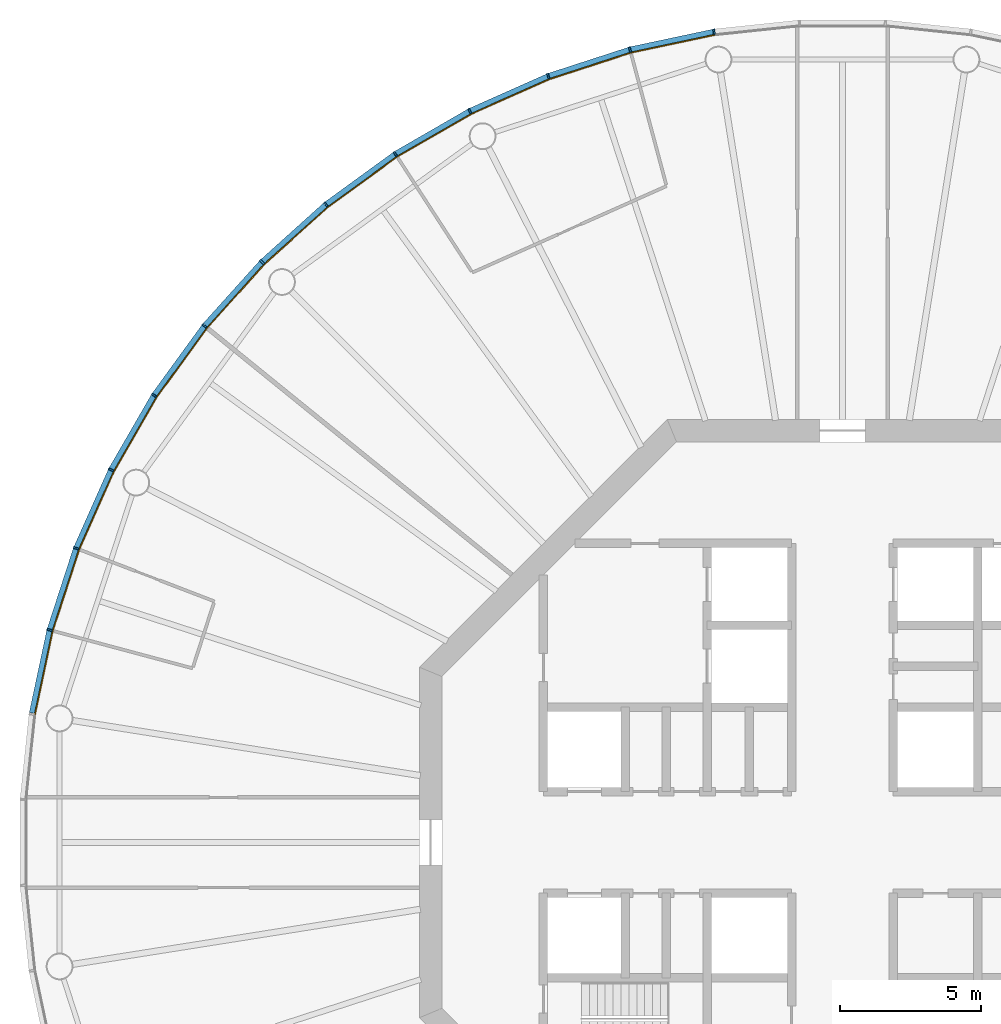
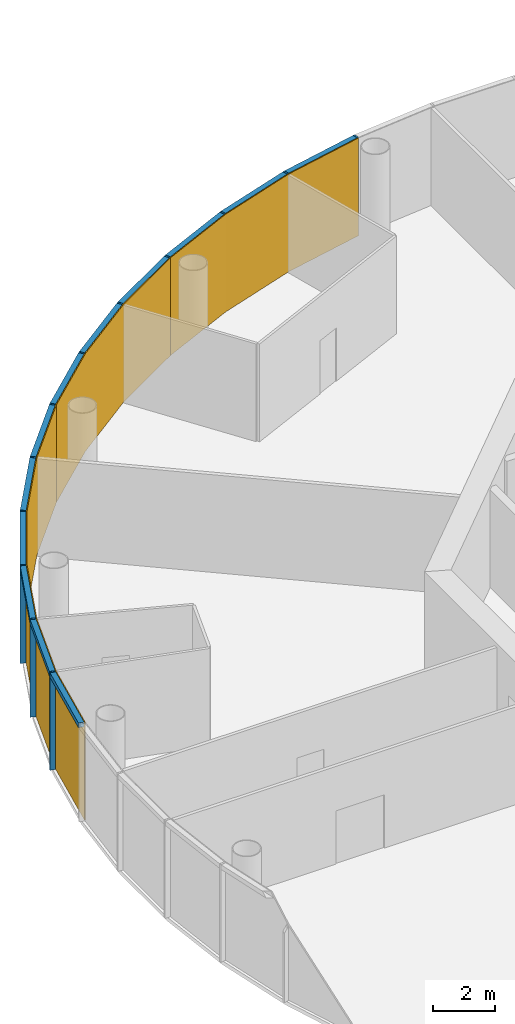
# One storey, part 10 of 13: 24 members, 4 curtain walls.
"""IFC4 building model written with IfcOpenShell, lengths in metres."""

from ifc_helpers import new_model, si_unit, direction, frame, origin, origin_2d, place, context, subcontext, project, spatial, polyline, rectangle, outline, extrude, material, layer, layer_set, material_profile, profile_set, type_object, element, aggregate, save


model = new_model("IFC4")

# Units and contexts
model_context = context("Model", 3, precision=1e-05, world=origin(), true_north=direction((0.0, 1.0)))
body_context = subcontext(model_context, "Body", "Model", "MODEL_VIEW")
ifc_project = project(units=[si_unit("LENGTHUNIT", "METRE"), si_unit("AREAUNIT", "SQUARE_METRE"), si_unit("VOLUMEUNIT", "CUBIC_METRE"), si_unit("PLANEANGLEUNIT", "RADIAN"), si_unit("MASSUNIT", "GRAM", prefix="KILO")], contexts=[model_context])

# Member
ifc_material_1 = material(Name="Anodised aluminium", Category="aluminium")
ifc_material_profile_1 = material_profile(ifc_material_1, rectangle(XDim=0.06494140625, YDim=0.195068359375, at=origin_2d()), Name="Mullion 65 x 195 mm anodised aluminium")
ifc_profile_set_1 = profile_set([ifc_material_profile_1], Name="Anodised aluminium")
member_type_1 = type_object("IfcMemberType", Name="Mullion 65 x 195 mm anodised aluminium", PredefinedType="MULLION", material=ifc_profile_set_1)
site_placement = place(None, origin())
building_placement = place(site_placement, origin())
storey_placement = place(building_placement, frame((0.0, 0.0, 278.0)))
member_1_placement = place(storey_placement, frame((85.4482421875, 108.7392578125, 0.0), z_axis=(0.0, 0.0, 1.0), x_axis=(-0.987688340595, -0.15643446504, 0.0)))
member_1 = element("IfcMember", 1, at=member_1_placement, type_object=member_type_1, Name="MULLION L63-15", PredefinedType="MULLION", context=body_context, shape_type="SweptSolid", body=[
    extrude(rectangle(XDim=0.06494140625, YDim=0.195068359375, at=origin_2d()), origin(), (0.0, 0.0, 1.0), 3.85009765625),
])

member_2_placement = place(storey_placement, frame((82.468994140625, 108.10595703125, 0.0), z_axis=(0.0, 0.0, 1.0), x_axis=(-0.965925826289, -0.258819045103, 0.0)))
member_2 = element("IfcMember", 2, at=member_2_placement, type_object=member_type_1, Name="MULLION L63-16", PredefinedType="MULLION", context=body_context, shape_type="SweptSolid", body=[
    extrude(rectangle(XDim=0.06494140625, YDim=0.195068359375, at=origin_2d()), origin(), (0.0, 0.0, 1.0), 3.85009765625),
])

member_3_placement = place(storey_placement, frame((79.572509765625, 107.164794921875, 0.0), z_axis=(0.0, 0.0, 1.0), x_axis=(-0.933580426497, -0.358367949545, 0.0)))
member_3 = element("IfcMember", 3, at=member_3_placement, type_object=member_type_1, Name="MULLION L63-17", PredefinedType="MULLION", context=body_context, shape_type="SweptSolid", body=[
    extrude(rectangle(XDim=0.06494140625, YDim=0.195068359375, at=origin_2d()), origin(), (0.0, 0.0, 1.0), 3.85009765625),
])

member_4_placement = place(storey_placement, frame((76.7900390625, 105.926025390625, 0.0), z_axis=(0.0, 0.0, 1.0), x_axis=(-0.891006524188, -0.45399049974, 0.0)))
member_4 = element("IfcMember", 4, at=member_4_placement, type_object=member_type_1, Name="MULLION L63-18", PredefinedType="MULLION", context=body_context, shape_type="SweptSolid", body=[
    extrude(rectangle(XDim=0.06494140625, YDim=0.195068359375, at=origin_2d()), origin(), (0.0, 0.0, 1.0), 3.85009765625),
])

member_5_placement = place(storey_placement, frame((74.15234375, 104.4033203125, 0.0), z_axis=(0.0, 0.0, 1.0), x_axis=(-0.838670567945, -0.544639035015, 0.0)))
member_5 = element("IfcMember", 5, at=member_5_placement, type_object=member_type_1, Name="MULLION L63-19", PredefinedType="MULLION", context=body_context, shape_type="SweptSolid", body=[
    extrude(rectangle(XDim=0.06494140625, YDim=0.195068359375, at=origin_2d()), origin(), (0.0, 0.0, 1.0), 3.85009765625),
])

member_6_placement = place(storey_placement, frame((71.688232421875, 102.613037109375, 0.0), z_axis=(0.0, 0.0, 1.0), x_axis=(-0.777145961457, -0.62932039105, 0.0)))
member_6 = element("IfcMember", 6, at=member_6_placement, type_object=member_type_1, Name="MULLION L63-20", PredefinedType="MULLION", context=body_context, shape_type="SweptSolid", body=[
    extrude(rectangle(XDim=0.06494140625, YDim=0.195068359375, at=origin_2d()), origin(), (0.0, 0.0, 1.0), 3.85009765625),
])

member_7_placement = place(storey_placement, frame((69.425048828125, 100.574951171875, 0.0), z_axis=(0.0, 0.0, 1.0), x_axis=(-0.707106781187, -0.707106781187, 0.0)))
member_7 = element("IfcMember", 7, at=member_7_placement, type_object=member_type_1, Name="MULLION L63-21", PredefinedType="MULLION", context=body_context, shape_type="SweptSolid", body=[
    extrude(rectangle(XDim=0.06494140625, YDim=0.195068359375, at=origin_2d()), origin(), (0.0, 0.0, 1.0), 3.85009765625),
])

member_8_placement = place(storey_placement, frame((67.386962890625, 98.311767578125, 0.0), z_axis=(0.0, 0.0, 1.0), x_axis=(-0.62932039105, -0.777145961457, 0.0)))
member_8 = element("IfcMember", 8, at=member_8_placement, type_object=member_type_1, Name="MULLION L63-22", PredefinedType="MULLION", context=body_context, shape_type="SweptSolid", body=[
    extrude(rectangle(XDim=0.06494140625, YDim=0.195068359375, at=origin_2d()), origin(), (0.0, 0.0, 1.0), 3.85009765625),
])

member_9_placement = place(storey_placement, frame((65.5966796875, 95.84765625, 0.0), z_axis=(0.0, 0.0, 1.0), x_axis=(-0.544639035015, -0.838670567945, 0.0)))
member_9 = element("IfcMember", 9, at=member_9_placement, type_object=member_type_1, Name="MULLION L63-23", PredefinedType="MULLION", context=body_context, shape_type="SweptSolid", body=[
    extrude(rectangle(XDim=0.06494140625, YDim=0.195068359375, at=origin_2d()), origin(), (0.0, 0.0, 1.0), 3.85009765625),
])

member_10_placement = place(storey_placement, frame((64.073974609375, 93.2099609375, 0.0), z_axis=(0.0, 0.0, 1.0), x_axis=(-0.45399049974, -0.891006524188, 0.0)))
member_10 = element("IfcMember", 10, at=member_10_placement, type_object=member_type_1, Name="MULLION L63-24", PredefinedType="MULLION", context=body_context, shape_type="SweptSolid", body=[
    extrude(rectangle(XDim=0.06494140625, YDim=0.195068359375, at=origin_2d()), origin(), (0.0, 0.0, 1.0), 3.85009765625),
])

member_11_placement = place(storey_placement, frame((62.835205078125, 90.427490234375, 0.0), z_axis=(0.0, 0.0, 1.0), x_axis=(-0.358367949545, -0.933580426497, 0.0)))
member_11 = element("IfcMember", 11, at=member_11_placement, type_object=member_type_1, Name="MULLION L63-25", PredefinedType="MULLION", context=body_context, shape_type="SweptSolid", body=[
    extrude(rectangle(XDim=0.06494140625, YDim=0.195068359375, at=origin_2d()), origin(), (0.0, 0.0, 1.0), 3.85009765625),
])

member_12_placement = place(storey_placement, frame((61.89404296875, 87.531005859375, 0.0), z_axis=(0.0, 0.0, 1.0), x_axis=(-0.258819045103, -0.965925826289, 0.0)))
member_12 = element("IfcMember", 12, at=member_12_placement, type_object=member_type_1, Name="MULLION L63-26", PredefinedType="MULLION", context=body_context, shape_type="SweptSolid", body=[
    extrude(rectangle(XDim=0.06494140625, YDim=0.195068359375, at=origin_2d()), origin(), (0.0, 0.0, 1.0), 3.85009765625),
])

ifc_material_2 = material(Name="Anodised aluminium", Category="aluminium")
ifc_material_profile_2 = material_profile(ifc_material_2, rectangle(XDim=0.195068359375, YDim=0.179931640625, at=origin_2d()), Name="Transom 180 x 195 mm anodised aluminium")
ifc_profile_set_2 = profile_set([ifc_material_profile_2], Name="Anodised aluminium")
member_type_2 = type_object("IfcMemberType", Name="Transom 180 x 195 mm anodised aluminium", PredefinedType="USERDEFINED", material=ifc_profile_set_2)
member_13_placement = place(storey_placement, frame((85.411376953125, 108.731689453125, 3.760009765625), z_axis=(-0.978141510112, -0.207940342877, 0.0), x_axis=(0.207940342877, -0.978141510112, 0.0)))
member_13 = element("IfcMember", 13, at=member_13_placement, type_object=member_type_2, Name="TRANSOM L63-15", ObjectType="TRANSOM", PredefinedType="USERDEFINED", context=body_context, shape_type="SweptSolid", body=[
    extrude(rectangle(XDim=0.195068359375, YDim=0.179931640625, at=origin_2d()), origin(), (0.0, 0.0, 1.0), 2.970458984375),
])

member_14_placement = place(storey_placement, frame((82.43310546875, 108.094482421875, 3.760009765625), z_axis=(-0.951047960094, -0.309043326415, 0.0), x_axis=(0.309043326415, -0.951047960094, 0.0)))
member_14 = element("IfcMember", 14, at=member_14_placement, type_object=member_type_2, Name="TRANSOM L63-16", ObjectType="TRANSOM", PredefinedType="USERDEFINED", context=body_context, shape_type="SweptSolid", body=[
    extrude(rectangle(XDim=0.195068359375, YDim=0.179931640625, at=origin_2d()), origin(), (0.0, 0.0, 1.0), 2.970458984375),
])

member_15_placement = place(storey_placement, frame((79.5380859375, 107.149658203125, 3.760009765625), z_axis=(-0.913550406593, -0.406725527369, 0.0), x_axis=(0.406725527369, -0.913550406593, 0.0)))
member_15 = element("IfcMember", 15, at=member_15_placement, type_object=member_type_2, Name="TRANSOM L63-17", ObjectType="TRANSOM", PredefinedType="USERDEFINED", context=body_context, shape_type="SweptSolid", body=[
    extrude(rectangle(XDim=0.195068359375, YDim=0.179931640625, at=origin_2d()), origin(), (0.0, 0.0, 1.0), 2.970703125),
])

member_16_placement = place(storey_placement, frame((76.75732421875, 105.907470703125, 3.760009765625), z_axis=(-0.866009025146, -0.500028367561, 0.0), x_axis=(0.500028367561, -0.866009025146, 0.0)))
member_16 = element("IfcMember", 16, at=member_16_placement, type_object=member_type_2, Name="TRANSOM L63-18", ObjectType="TRANSOM", PredefinedType="USERDEFINED", context=body_context, shape_type="SweptSolid", body=[
    extrude(rectangle(XDim=0.195068359375, YDim=0.179931640625, at=origin_2d()), origin(), (0.0, 0.0, 1.0), 2.970458984375),
])

member_17_placement = place(storey_placement, frame((74.121826171875, 104.381103515625, 3.760009765625), z_axis=(-0.809030990733, -0.587765987476, 0.0), x_axis=(0.587765987476, -0.809030990733, 0.0)))
member_17 = element("IfcMember", 17, at=member_17_placement, type_object=member_type_2, Name="TRANSOM L63-19", ObjectType="TRANSOM", PredefinedType="USERDEFINED", context=body_context, shape_type="SweptSolid", body=[
    extrude(rectangle(XDim=0.195068359375, YDim=0.179931640625, at=origin_2d()), origin(), (0.0, 0.0, 1.0), 2.97021484375),
])

member_18_placement = place(storey_placement, frame((71.660400390625, 102.587890625, 3.760009765625), z_axis=(-0.743163354343, -0.669110027395, 0.0), x_axis=(0.669110027395, -0.743163354343, 0.0)))
member_18 = element("IfcMember", 18, at=member_18_placement, type_object=member_type_2, Name="TRANSOM L63-20", ObjectType="TRANSOM", PredefinedType="USERDEFINED", context=body_context, shape_type="SweptSolid", body=[
    extrude(rectangle(XDim=0.195068359375, YDim=0.179931640625, at=origin_2d()), origin(), (0.0, 0.0, 1.0), 2.970458984375),
])

member_19_placement = place(storey_placement, frame((69.399658203125, 100.547119140625, 3.760009765625), z_axis=(-0.669110027395, -0.743163354343, 0.0), x_axis=(0.743163354343, -0.669110027395, 0.0)))
member_19 = element("IfcMember", 19, at=member_19_placement, type_object=member_type_2, Name="TRANSOM L63-21", ObjectType="TRANSOM", PredefinedType="USERDEFINED", context=body_context, shape_type="SweptSolid", body=[
    extrude(rectangle(XDim=0.195068359375, YDim=0.179931640625, at=origin_2d()), origin(), (0.0, 0.0, 1.0), 2.970458984375),
])

member_20_placement = place(storey_placement, frame((67.36474609375, 98.28125, 3.760009765625), z_axis=(-0.587765987476, -0.809030990733, 0.0), x_axis=(0.809030990733, -0.587765987476, 0.0)))
member_20 = element("IfcMember", 20, at=member_20_placement, type_object=member_type_2, Name="TRANSOM L63-22", ObjectType="TRANSOM", PredefinedType="USERDEFINED", context=body_context, shape_type="SweptSolid", body=[
    extrude(rectangle(XDim=0.195068359375, YDim=0.179931640625, at=origin_2d()), origin(), (0.0, 0.0, 1.0), 2.97021484375),
])

member_21_placement = place(storey_placement, frame((65.577880859375, 95.815185546875, 3.760009765625), z_axis=(-0.500028367561, -0.866009025146, 0.0), x_axis=(0.866009025146, -0.500028367561, 0.0)))
member_21 = element("IfcMember", 21, at=member_21_placement, type_object=member_type_2, Name="TRANSOM L63-23", ObjectType="TRANSOM", PredefinedType="USERDEFINED", context=body_context, shape_type="SweptSolid", body=[
    extrude(rectangle(XDim=0.195068359375, YDim=0.179931640625, at=origin_2d()), origin(), (0.0, 0.0, 1.0), 2.970458984375),
])

member_22_placement = place(storey_placement, frame((64.05859375, 93.17578125, 3.760009765625), z_axis=(-0.406725527369, -0.913550406593, 0.0), x_axis=(0.913550406593, -0.406725527369, 0.0)))
member_22 = element("IfcMember", 22, at=member_22_placement, type_object=member_type_2, Name="TRANSOM L63-24", ObjectType="TRANSOM", PredefinedType="USERDEFINED", context=body_context, shape_type="SweptSolid", body=[
    extrude(rectangle(XDim=0.195068359375, YDim=0.179931640625, at=origin_2d()), origin(), (0.0, 0.0, 1.0), 2.970703125),
])

member_23_placement = place(storey_placement, frame((62.823486328125, 90.391845703125, 3.760009765625), z_axis=(-0.309043326415, -0.951047960094, 0.0), x_axis=(0.951047960094, -0.309043326415, 0.0)))
member_23 = element("IfcMember", 23, at=member_23_placement, type_object=member_type_2, Name="TRANSOM L63-25", ObjectType="TRANSOM", PredefinedType="USERDEFINED", context=body_context, shape_type="SweptSolid", body=[
    extrude(rectangle(XDim=0.195068359375, YDim=0.179931640625, at=origin_2d()), origin(), (0.0, 0.0, 1.0), 2.970458984375),
])

member_24_placement = place(storey_placement, frame((61.885986328125, 87.494140625, 3.760009765625), z_axis=(-0.207940342877, -0.978141510112, 0.0), x_axis=(0.978141510112, -0.207940342877, 0.0)))
member_24 = element("IfcMember", 24, at=member_24_placement, type_object=member_type_2, Name="TRANSOM L63-26", ObjectType="TRANSOM", PredefinedType="USERDEFINED", context=body_context, shape_type="SweptSolid", body=[
    extrude(rectangle(XDim=0.195068359375, YDim=0.179931640625, at=origin_2d()), origin(), (0.0, 0.0, 1.0), 2.970458984375),
])

# Site, building, storey
site = spatial("IfcSite", under=ifc_project, at=site_placement, CompositionType="ELEMENT")
building = spatial("IfcBuilding", under=site, at=building_placement, Name="Entoto Ring Tower", CompositionType="ELEMENT")
storey = spatial("IfcBuildingStorey", under=building, at=storey_placement, Name="L63", CompositionType="ELEMENT", Elevation=278.0)

# Curtain wall
ifc_material_3 = material(Name="Clear low-iron glass", Category="glass")
ifc_layer = layer(ifc_material_3, 0.033935546875)
ifc_layer_set = layer_set([ifc_layer], Name="Clear low-iron glass")
curtain_wall_type = type_object("IfcCurtainWallType", Name="Curtain wall system CW5 glazing 34 mm", PredefinedType="NOTDEFINED", material=ifc_layer_set)
curtain_wall_1_placement = place(storey_placement, origin())
curtain_wall_1 = element("IfcCurtainWall", 25, at=curtain_wall_1_placement, inside=storey, type_object=curtain_wall_type, Name="CW5 L63-06", PredefinedType="NOTDEFINED", context=body_context, shape_type="SweptSolid", body=[
    extrude(outline(polyline([(85.46337890625, 108.64306640625), (82.494140625, 108.011962890625), (79.607421875, 107.07373046875), (76.834228515625, 105.839111328125), (76.849853515625, 105.808837890625), (79.61962890625, 107.0419921875), (82.503173828125, 107.97900390625), (85.46875, 108.609375), (85.46337890625, 108.64306640625)])), origin(), (0.0, 0.0, 1.0), 3.85009765625),
])

aggregate(curtain_wall_1, [member_1, member_2, member_3, member_13, member_14, member_15])

curtain_wall_2_placement = place(storey_placement, origin())
curtain_wall_2 = element("IfcCurtainWall", 26, at=curtain_wall_2_placement, inside=storey, type_object=curtain_wall_type, Name="CW5 L63-07", PredefinedType="NOTDEFINED", context=body_context, shape_type="SweptSolid", body=[
    extrude(outline(polyline([(76.834228515625, 105.839111328125), (74.20556640625, 104.321533203125), (71.749755859375, 102.537353515625), (69.493896484375, 100.506103515625), (69.51806640625, 100.48193359375), (71.771240234375, 102.5107421875), (74.22412109375, 104.29296875), (76.849853515625, 105.808837890625), (76.834228515625, 105.839111328125)])), origin(), (0.0, 0.0, 1.0), 3.85009765625),
])

aggregate(curtain_wall_2, [member_4, member_5, member_6, member_16, member_17, member_18])

curtain_wall_3_placement = place(storey_placement, origin())
curtain_wall_3 = element("IfcCurtainWall", 27, at=curtain_wall_3_placement, inside=storey, type_object=curtain_wall_type, Name="CW5 L63-08", PredefinedType="NOTDEFINED", context=body_context, shape_type="SweptSolid", body=[
    extrude(outline(polyline([(69.493896484375, 100.506103515625), (67.462646484375, 98.250244140625), (65.678466796875, 95.79443359375), (64.160888671875, 93.165771484375), (64.191162109375, 93.150146484375), (65.70703125, 95.77587890625), (67.4892578125, 98.228759765625), (69.51806640625, 100.48193359375), (69.493896484375, 100.506103515625)])), origin(), (0.0, 0.0, 1.0), 3.85009765625),
])

aggregate(curtain_wall_3, [member_7, member_8, member_9, member_19, member_20, member_21])

curtain_wall_4_placement = place(storey_placement, origin())
curtain_wall_4 = element("IfcCurtainWall", 28, at=curtain_wall_4_placement, inside=storey, type_object=curtain_wall_type, Name="CW5 L63-09", PredefinedType="NOTDEFINED", context=body_context, shape_type="SweptSolid", body=[
    extrude(outline(polyline([(64.160888671875, 93.165771484375), (62.92626953125, 90.392578125), (61.988037109375, 87.505859375), (61.35693359375, 84.53662109375), (61.390625, 84.53125), (62.02099609375, 87.496826171875), (62.9580078125, 90.38037109375), (64.191162109375, 93.150146484375), (64.160888671875, 93.165771484375)])), origin(), (0.0, 0.0, 1.0), 3.85009765625),
])

aggregate(curtain_wall_4, [member_10, member_11, member_12, member_22, member_23, member_24])

save(model, "model.ifc")
